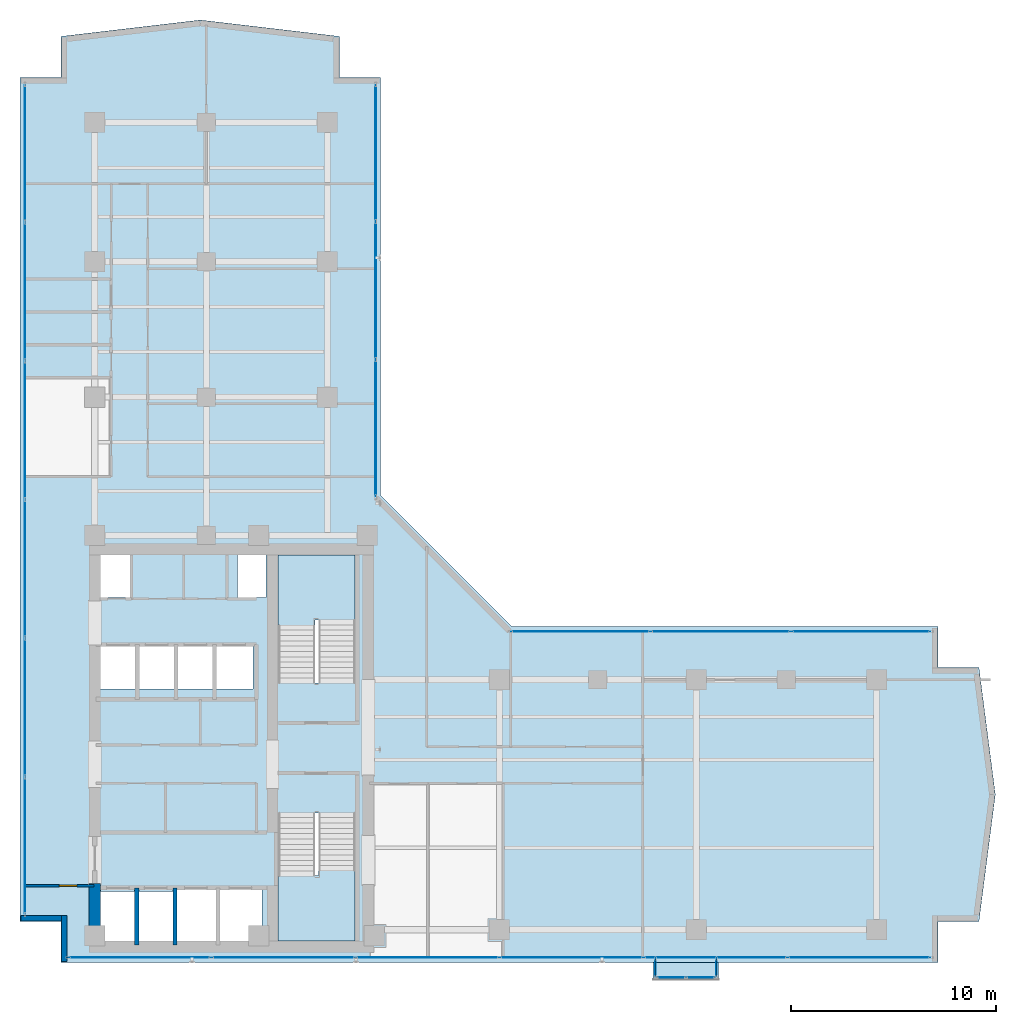
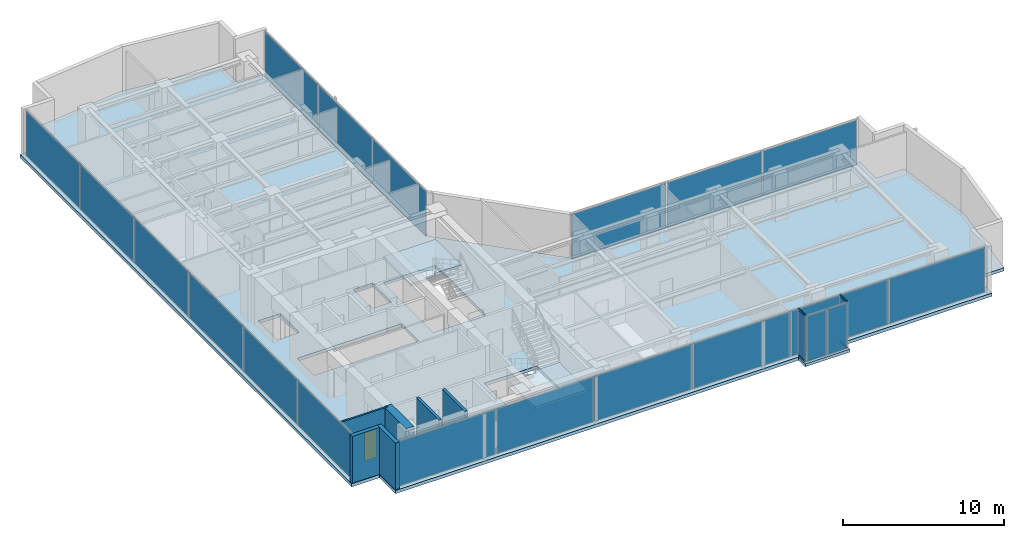
# One storey, part 16 of 24: 22 plates, 6 walls, 4 members, 4 slabs, 1 door, 1 opening, 9 elements without a shape of their own.
"""IFC4 building model written with IfcOpenShell, lengths in metres."""

import ifcopenshell
import ifcopenshell.guid

model = None  # the IFC model being written
_history = None  # IfcOwnerHistory: only IFC2X3 demands one
_inside = {}  # id of a spatial element -> (the spatial element, [elements in it])
_under = {}  # id of a project, library or spatial element -> (it, [spatial elements below it])
_declared = {}  # id of a project -> (the project, [libraries it declares])
_typed = {}  # id of a type object -> (the type object, [elements of that type])
_made_of = {}  # id of a material, layer set ... -> (it, [elements and type objects made of it])


def new_model(schema):
    """Start an empty IFC model of exactly this schema.

    Asked for "IFC4X3", IfcOpenShell would pick the latest addendum, in which some entities
    have other attributes; the version numbers below select the first issue.
    IFC2X3 requires an IfcOwnerHistory on every rooted entity: one is made here for all.
    """
    global model, _history
    if schema == "IFC4X3":
        model = ifcopenshell.file(schema_version=(4, 3, 0, 0))
    else:
        model = ifcopenshell.file(schema=schema)
    _inside.clear()
    _under.clear()
    _declared.clear()
    _typed.clear()
    _made_of.clear()
    _history = None
    if model.schema == "IFC2X3":
        org = make("IfcOrganization", Name="unknown")
        user = make(
            "IfcPersonAndOrganization",
            ThePerson=make("IfcPerson", FamilyName="unknown"),
            TheOrganization=org,
        )
        app = make(
            "IfcApplication",
            ApplicationDeveloper=org,
            Version="unknown",
            ApplicationFullName="unknown",
            ApplicationIdentifier="unknown",
        )
        _history = make(
            "IfcOwnerHistory",
            OwningUser=user,
            OwningApplication=app,
            ChangeAction="ADDED",
            CreationDate=0,
        )
    return model


def make(cls, **values):
    """One entity of the class cls with the attributes given. An attribute that is None is left unset."""
    return model.create_entity(
        cls, **{name: value for name, value in values.items() if value is not None}
    )


def rooted(cls, **values):
    """An entity with a GlobalId (a new one), such as an element, a storey or a relation."""
    return make(cls, GlobalId=ifcopenshell.guid.new(), OwnerHistory=_history, **values)


def si_unit(unit_type, name, prefix=None):
    """IfcSIUnit, for example si_unit("LENGTHUNIT", "METRE", prefix="MILLI")."""
    return make("IfcSIUnit", UnitType=unit_type, Prefix=prefix, Name=name)


def assignment(units):
    """IfcUnitAssignment: the units of a project."""
    return None if units is None else make("IfcUnitAssignment", Units=units)


def point(xyz):
    """IfcCartesianPoint."""
    return None if xyz is None else make("IfcCartesianPoint", Coordinates=xyz)


def direction(xyz):
    """IfcDirection."""
    return None if xyz is None else make("IfcDirection", DirectionRatios=xyz)


def frame(location, z_axis=None, x_axis=None):
    """IfcAxis2Placement3D, a coordinate frame: its origin and axes. An axis left out is left unset."""
    return make(
        "IfcAxis2Placement3D",
        Location=point(location),
        Axis=direction(z_axis),
        RefDirection=direction(x_axis),
    )


def frame_2d(location, x_axis=None):
    """IfcAxis2Placement2D, a coordinate frame in the plane: its origin and x axis."""
    return make(
        "IfcAxis2Placement2D", Location=point(location), RefDirection=direction(x_axis)
    )


def origin():
    """The frame at (0, 0, 0) with its axes left unset."""
    return frame((0.0, 0.0, 0.0))


def origin_with_axes():
    """The frame at (0, 0, 0) with the z axis (0, 0, 1) and the x axis (1, 0, 0) written out."""
    return frame((0.0, 0.0, 0.0), z_axis=(0.0, 0.0, 1.0), x_axis=(1.0, 0.0, 0.0))


def origin_2d():
    """The frame at (0, 0) in the plane with its x axis left unset."""
    return frame_2d((0.0, 0.0))


def place(relative_to, where):
    """IfcLocalPlacement: puts the frame where relative to a parent placement (None: the world)."""
    return make(
        "IfcLocalPlacement", PlacementRelTo=relative_to, RelativePlacement=where
    )


def context(
    kind, dimensions, precision=None, world=None, true_north=None, identifier=None
):
    """IfcGeometricRepresentationContext, for example the 3D "Model" context."""
    return make(
        "IfcGeometricRepresentationContext",
        ContextIdentifier=identifier,
        ContextType=kind,
        CoordinateSpaceDimension=dimensions,
        Precision=precision,
        WorldCoordinateSystem=world,
        TrueNorth=true_north,
    )


def subcontext(parent, identifier, kind, view, scale=None):
    """IfcGeometricRepresentationSubContext, for example "Body" below "Model"."""
    return make(
        "IfcGeometricRepresentationSubContext",
        ContextIdentifier=identifier,
        ContextType=kind,
        ParentContext=parent,
        TargetScale=scale,
        TargetView=view,
    )


def project(units=None, contexts=None):
    """IfcProject with its units and contexts."""
    return rooted(
        "IfcProject",
        Name="project",
        RepresentationContexts=contexts,
        UnitsInContext=assignment(units),
    )


def spatial(cls, under=None, at=None, **own):
    """A site, building, storey or space (cls), placed at a placement, below another one or the project."""
    s = rooted(cls, ObjectPlacement=at, **own)
    if under is not None:
        _under.setdefault(under.id(), (under, []))[1].append(s)
    return s


def polyline(points):
    """IfcPolyline through the points."""
    return make("IfcPolyline", Points=[point(p) for p in points])


def profile(cls, at=None, kind="AREA", **sizes):
    """A parametric profile (cls). Its sizes go by their IFC names, for example OverallWidth=200.0."""
    return make(cls, ProfileType=kind, Position=at, **sizes)


def rectangle(**sizes):
    """IfcRectangleProfileDef."""
    return profile("IfcRectangleProfileDef", **sizes)


def hollow_rectangle(**sizes):
    """IfcRectangleHollowProfileDef."""
    return profile("IfcRectangleHollowProfileDef", **sizes)


def outline(outer, holes=None, kind="AREA"):
    """IfcArbitraryClosedProfileDef: a profile drawn as a closed curve; with holes, ...WithVoids."""
    if holes is None:
        return make("IfcArbitraryClosedProfileDef", ProfileType=kind, OuterCurve=outer)
    return make(
        "IfcArbitraryProfileDefWithVoids",
        ProfileType=kind,
        OuterCurve=outer,
        InnerCurves=holes,
    )


def extrude(swept, where, along, depth):
    """IfcExtrudedAreaSolid: the profile swept, set in the frame where, extruded along a direction by depth."""
    return make(
        "IfcExtrudedAreaSolid",
        SweptArea=swept,
        Position=where,
        ExtrudedDirection=direction(along),
        Depth=depth,
    )


def shape(context_of_items, identifier, shape_type, items):
    """IfcShapeRepresentation: the items that make up one representation, for example the "Body"."""
    return make(
        "IfcShapeRepresentation",
        ContextOfItems=context_of_items,
        RepresentationIdentifier=identifier,
        RepresentationType=shape_type,
        Items=items,
    )


def source(mapping_origin, context_of_items, identifier, shape_type, items):
    """IfcRepresentationMap: a shape defined once, which mapped items show again and again."""
    return make(
        "IfcRepresentationMap",
        MappingOrigin=mapping_origin,
        MappedRepresentation=shape(context_of_items, identifier, shape_type, items),
    )


def transform(
    local_origin,
    x_axis=None,
    y_axis=None,
    z_axis=None,
    scale=None,
    scale2=None,
    scale3=None,
    uniform=True,
):
    """IfcCartesianTransformationOperator3D, or its non-uniform kind. x_axis, y_axis, z_axis: its Axis1, 2, 3."""
    if uniform:
        return make(
            "IfcCartesianTransformationOperator3D",
            Axis1=direction(x_axis),
            Axis2=direction(y_axis),
            LocalOrigin=point(local_origin),
            Scale=scale,
            Axis3=direction(z_axis),
        )
    return make(
        "IfcCartesianTransformationOperator3DnonUniform",
        Axis1=direction(x_axis),
        Axis2=direction(y_axis),
        LocalOrigin=point(local_origin),
        Scale=scale,
        Axis3=direction(z_axis),
        Scale2=scale2,
        Scale3=scale3,
    )


def mapped(mapping_source, mapping_target):
    """IfcMappedItem: shows the shape of a source again, moved by a transform."""
    return make(
        "IfcMappedItem", MappingSource=mapping_source, MappingTarget=mapping_target
    )


def material(Name=None, Category=None):
    """IfcMaterial."""
    return make("IfcMaterial", Name=Name, Category=Category)


def layer(
    of_material, thickness, ventilated=None, Name=None, Category=None, Priority=None
):
    """IfcMaterialLayer: one layer of a wall or slab, of a material (None: an air gap)."""
    return make(
        "IfcMaterialLayer",
        Material=of_material,
        LayerThickness=thickness,
        IsVentilated=ventilated,
        Name=Name,
        Category=Category,
        Priority=Priority,
    )


def layer_set(layers, Name=None):
    """IfcMaterialLayerSet."""
    return make("IfcMaterialLayerSet", MaterialLayers=layers, LayerSetName=Name)


def material_profile(
    of_material, cross_section, Name=None, Category=None, Priority=None
):
    """IfcMaterialProfile: a cross section and its material."""
    return make(
        "IfcMaterialProfile",
        Name=Name,
        Material=of_material,
        Profile=cross_section,
        Priority=Priority,
        Category=Category,
    )


def profile_set(profiles, Name=None, composite=None):
    """IfcMaterialProfileSet."""
    return make(
        "IfcMaterialProfileSet",
        Name=Name,
        MaterialProfiles=profiles,
        CompositeProfile=composite,
    )


def made_of(thing, what):
    """Note that an element or type object is made of a material, layer set ...; save() writes the relation."""
    if what is not None:
        _made_of.setdefault(what.id(), (what, []))[1].append(thing)
    return thing


def type_object(cls, material=None, **own):
    """A type object (cls), such as IfcWallType, which elements share."""
    return made_of(rooted(cls, **own), material)


def element(
    cls,
    number,
    at=None,
    inside=None,
    cuts=None,
    type_object=None,
    material=None,
    context=None,
    identifier="Body",
    shape_type=None,
    held_by="IfcProductDefinitionShape",
    body=None,
    shapes=None,
    **own,
):
    """One element of the class cls, such as IfcWall. Its Tag is "e" and its number.

    at: its placement. inside: the storey or other place that contains it. cuts: it is an
    opening in that element (IfcRelVoidsElement). A single representation is given by context,
    identifier, shape_type and body (its items); several are given by shapes. held_by: the class
    of the entity that holds the representations. save() writes the other relations.
    """
    e = rooted(cls, Tag="e%d" % number, ObjectPlacement=at, **own)
    if body is not None:
        shapes = [shape(context, identifier, shape_type, body)]
    if shapes is not None:
        e.Representation = make(held_by, Representations=shapes)
    if inside is not None:
        _inside.setdefault(inside.id(), (inside, []))[1].append(e)
    if cuts is not None:
        rooted(
            "IfcRelVoidsElement", RelatingBuildingElement=cuts, RelatedOpeningElement=e
        )
    if type_object is not None:
        _typed.setdefault(type_object.id(), (type_object, []))[1].append(e)
    return made_of(e, material)


def fill(opening, filler):
    """IfcRelFillsElement: the door or window that sits in an opening."""
    return rooted(
        "IfcRelFillsElement",
        RelatingOpeningElement=opening,
        RelatedBuildingElement=filler,
    )


def aggregate(whole, parts):
    """IfcRelAggregates: a whole, such as a stair, and the parts it consists of."""
    return rooted("IfcRelAggregates", RelatingObject=whole, RelatedObjects=parts)


def save(model, path):
    """Write the relations noted so far, then the file.

    IfcRelAggregates (storeys below a building ...), IfcRelContainedInSpatialStructure (elements
    in a storey), IfcRelDefinesByType, IfcRelAssociatesMaterial and IfcRelDeclares: one each for
    every whole, place, type object, material and project.
    """
    for whole, parts in _under.values():
        aggregate(whole, parts)
    for where, things in _inside.values():
        rooted(
            "IfcRelContainedInSpatialStructure",
            RelatedElements=things,
            RelatingStructure=where,
        )
    for kind, things in _typed.values():
        rooted("IfcRelDefinesByType", RelatedObjects=things, RelatingType=kind)
    for what, things in _made_of.values():
        rooted("IfcRelAssociatesMaterial", RelatedObjects=things, RelatingMaterial=what)
    for by, libraries in _declared.values():
        rooted("IfcRelDeclares", RelatingContext=by, RelatedDefinitions=libraries)
    model.write(path)


model = new_model("IFC4")

# Units and contexts
model_context = context("Model", 3, precision=1e-05, world=origin(), true_north=direction((0.0, 1.0)))
body_context = subcontext(model_context, "Body", "Model", "MODEL_VIEW")
ifc_project = project(units=[si_unit("LENGTHUNIT", "METRE"), si_unit("AREAUNIT", "SQUARE_METRE"), si_unit("VOLUMEUNIT", "CUBIC_METRE"), si_unit("PLANEANGLEUNIT", "RADIAN"), si_unit("MASSUNIT", "GRAM", prefix="KILO")], contexts=[model_context])

# Site, building, storey
site_placement = place(None, origin())
site = spatial("IfcSite", under=ifc_project, at=site_placement, CompositionType="ELEMENT")
building_placement = place(site_placement, origin())
building = spatial("IfcBuilding", under=site, at=building_placement, Name="Kolvaren Waterfront Exchange", CompositionType="ELEMENT")
storey_placement = place(building_placement, frame((0.0, 0.0, 238.699951171875)))
storey = spatial("IfcBuildingStorey", under=building, at=storey_placement, Name="L61", CompositionType="ELEMENT", Elevation=238.699951171875)

# Curtain wall, members
ifc_material_1 = material(Name="Anodised bronze aluminium 6063-T6", Category="aluminium")
ifc_layer_1 = layer(ifc_material_1, 0.219970703125, Name="Anodised bronze aluminium 6063-T6")
ifc_layer_set_1 = layer_set([ifc_layer_1], Name="Anodised bronze aluminium 6063-T6")
curtain_wall_type_1 = type_object("IfcCurtainWallType", Name="ARC-CW-SYS3", PredefinedType="USERDEFINED", material=ifc_layer_set_1)
curtain_wall_1_placement = place(storey_placement, origin())
curtain_wall_1 = element("IfcCurtainWall", 1, at=curtain_wall_1_placement, inside=storey, type_object=curtain_wall_type_1, Name="L61 stick curtain wall CW3 (CW-L61-BOX-W)", ObjectType="STICK CURTAIN WALL", PredefinedType="USERDEFINED")
ifc_material_profile = material_profile(ifc_material_1, hollow_rectangle(XDim=0.06494140625, YDim=0.1298828125, WallThickness=0.00390625, at=origin_2d()), Name="ALU-TRN-130x65x4")
ifc_profile_set = profile_set([ifc_material_profile], Name="Anodised bronze aluminium 6063-T6")
member_type = type_object("IfcMemberType", Name="ARC-CWT-130", PredefinedType="USERDEFINED", material=ifc_profile_set)
shared_shape_1 = source(origin_with_axes(), body_context, "Body", "SweptSolid", [
    extrude(hollow_rectangle(XDim=0.06494140625, YDim=0.1298828125, WallThickness=0.00390625, at=origin_2d()), origin(), (0.0, 0.0, 1.0), 0.829833984375),
])
member_1_placement = place(storey_placement, frame((34.81005859375, 3.764892578125, 0.032470703125), z_axis=(0.0, -1.0, 0.0), x_axis=(1.0, 0.0, 0.0)))
member_1 = element("IfcMember", 2, at=member_1_placement, type_object=member_type, Name="CW3 transom 1.1", ObjectType="TRANSOM", PredefinedType="USERDEFINED", context=body_context, shape_type="MappedRepresentation", body=[
    mapped(shared_shape_1, transform((0.0, 0.0, 0.0), x_axis=(1.0, 0.0, 0.0), y_axis=(0.0, 1.0, 0.0), z_axis=(0.0, 0.0, 1.0), scale=1.0)),
])
member_2_placement = place(storey_placement, frame((34.81005859375, 3.764892578125, 3.527587890625), z_axis=(0.0, -1.0, 0.0), x_axis=(1.0, 0.0, 0.0)))
member_2 = element("IfcMember", 3, at=member_2_placement, type_object=member_type, Name="CW3 transom 1.2", ObjectType="TRANSOM", PredefinedType="USERDEFINED", context=body_context, shape_type="MappedRepresentation", body=[
    mapped(shared_shape_1, transform((0.0, 0.0, 0.0), x_axis=(1.0, 0.0, 0.0), y_axis=(0.0, 1.0, 0.0), z_axis=(0.0, 0.0, 1.0), scale=1.0)),
])

curtain_wall_2_placement = place(storey_placement, origin())
curtain_wall_2 = element("IfcCurtainWall", 4, at=curtain_wall_2_placement, inside=storey, type_object=curtain_wall_type_1, Name="L61 stick curtain wall CW3 (CW-L61-BOX-E)", ObjectType="STICK CURTAIN WALL", PredefinedType="USERDEFINED")
member_3_placement = place(storey_placement, frame((37.7900390625, 2.93505859375, 0.032470703125), z_axis=(0.0, 1.0, 0.0), x_axis=(-1.0, 0.0, 0.0)))
member_3 = element("IfcMember", 5, at=member_3_placement, type_object=member_type, Name="CW3 transom 1.1", ObjectType="TRANSOM", PredefinedType="USERDEFINED", context=body_context, shape_type="MappedRepresentation", body=[
    mapped(shared_shape_1, transform((0.0, 0.0, 0.0), x_axis=(1.0, 0.0, 0.0), y_axis=(0.0, 1.0, 0.0), z_axis=(0.0, 0.0, 1.0), scale=1.0)),
])
member_4_placement = place(storey_placement, frame((37.7900390625, 2.93505859375, 3.527587890625), z_axis=(0.0, 1.0, 0.0), x_axis=(-1.0, 0.0, 0.0)))
member_4 = element("IfcMember", 6, at=member_4_placement, type_object=member_type, Name="CW3 transom 1.2", ObjectType="TRANSOM", PredefinedType="USERDEFINED", context=body_context, shape_type="MappedRepresentation", body=[
    mapped(shared_shape_1, transform((0.0, 0.0, 0.0), x_axis=(1.0, 0.0, 0.0), y_axis=(0.0, 1.0, 0.0), z_axis=(0.0, 0.0, 1.0), scale=1.0)),
])

# Stair, slab
ifc_material_2 = material(Name="Concrete C40/50", Category="concrete")
stair_type = type_object("IfcStairType", Name="ARC-STAIR-3800", PredefinedType="HALF_TURN_STAIR", material=ifc_material_2)
stair_1_placement = place(storey_placement, origin())
stair_1 = element("IfcStair", 7, at=stair_1_placement, inside=storey, type_object=stair_type, Name="L61 Smoke-proof exit stair ST1", PredefinedType="HALF_TURN_STAIR")
ifc_layer_2 = layer(ifc_material_2, 0.199951171875, Name="Concrete C40/50")
ifc_layer_set_2 = layer_set([ifc_layer_2], Name="Concrete C40/50")
slab_type_1 = type_object("IfcSlabType", Name="STR-LANDING-200", PredefinedType="LANDING", material=ifc_layer_set_2)
slab_1_placement = place(storey_placement, frame((0.0, 0.0, 1.776123046875)))
slab_1 = element("IfcSlab", 8, at=slab_1_placement, type_object=slab_type_1, Name="ST1 landing 1", PredefinedType="LANDING", context=body_context, shape_type="SweptSolid", body=[
    extrude(outline(polyline([(16.39990234375, 7.840087890625), (16.39990234375, 4.64990234375), (20.159912109375, 4.64990234375), (20.159912109375, 8.10009765625), (18.360107421875, 8.10009765625), (18.360107421875, 7.840087890625), (16.39990234375, 7.840087890625)])), origin(), (0.0, 0.0, 1.0), 0.199951171875),
])
aggregate(stair_1, [slab_1])

stair_2_placement = place(storey_placement, origin())
stair_2 = element("IfcStair", 9, at=stair_2_placement, inside=storey, type_object=stair_type, Name="L61 Smoke-proof exit stair ST2", PredefinedType="HALF_TURN_STAIR")
slab_2_placement = place(storey_placement, frame((0.0, 0.0, 1.776123046875)))
slab_2 = element("IfcSlab", 10, at=slab_2_placement, type_object=slab_type_1, Name="ST2 landing 1", PredefinedType="LANDING", context=body_context, shape_type="SweptSolid", body=[
    extrude(outline(polyline([(20.159912109375, 20.31005859375), (20.159912109375, 23.5), (16.39990234375, 23.5), (16.39990234375, 20.050048828125), (18.199951171875, 20.050048828125), (18.199951171875, 20.31005859375), (20.159912109375, 20.31005859375)])), origin(), (0.0, 0.0, 1.0), 0.199951171875),
])
aggregate(stair_2, [slab_2])

# Slabs
ifc_layer_3 = layer(ifc_material_2, 0.239990234375, Name="Concrete C40/50")
ifc_layer_set_3 = layer_set([ifc_layer_3], Name="Concrete C40/50")
slab_type_2 = type_object("IfcSlabType", Name="STR-SLAB-240", PredefinedType="FLOOR", material=ifc_layer_set_3)
slab_3_placement = place(storey_placement, frame((0.0, 0.0, -0.239990234375)))
element("IfcSlab", 11, at=slab_3_placement, inside=storey, type_object=slab_type_2, Name="L61 structural floor slab", PredefinedType="FLOOR", context=body_context, shape_type="SweptSolid", body=[
    extrude(outline(polyline([(5.800048828125, 3.60009765625), (48.60009765625, 3.60009765625), (48.60009765625, 5.60009765625), (50.60009765625, 5.60009765625), (51.39990234375, 11.800048828125), (50.60009765625, 18.0), (48.60009765625, 18.0), (48.60009765625, 20.0), (27.800048828125, 20.0), (21.39990234375, 26.39990234375), (21.39990234375, 46.800048828125), (19.39990234375, 46.800048828125), (19.39990234375, 48.800048828125), (12.60009765625, 49.60009765625), (5.800048828125, 48.800048828125), (5.800048828125, 46.800048828125), (3.800048828125, 46.800048828125), (3.800048828125, 5.60009765625), (5.800048828125, 5.60009765625), (5.800048828125, 3.60009765625)]), holes=[polyline([(11.320068359375, 7.260009765625), (15.610107421875, 7.260009765625), (15.610107421875, 4.5400390625), (7.719970703125, 4.5400390625), (7.719970703125, 7.06005859375), (11.320068359375, 7.06005859375), (11.320068359375, 7.260009765625)]), polyline([(20.159912109375, 10.89990234375), (20.159912109375, 4.64990234375), (16.39990234375, 4.64990234375), (16.39990234375, 10.89990234375), (20.159912109375, 10.89990234375)]), polyline([(7.669921875, 19.06005859375), (15.159912109375, 19.06005859375), (15.159912109375, 16.93994140625), (7.669921875, 16.93994140625), (7.669921875, 19.06005859375)]), polyline([(16.39990234375, 17.25), (16.39990234375, 23.5), (20.159912109375, 23.5), (20.159912109375, 17.25), (16.39990234375, 17.25)]), polyline([(7.60009765625, 23.780029296875), (9.179931640625, 23.780029296875), (9.179931640625, 21.419921875), (7.60009765625, 21.419921875), (7.60009765625, 23.780029296875)]), polyline([(14.419921875, 23.780029296875), (15.800048828125, 23.780029296875), (15.800048828125, 21.419921875), (14.419921875, 21.419921875), (14.419921875, 23.780029296875)])]), origin(), (0.0, 0.0, 1.0), 0.239990234375),
])
ifc_layer_4 = layer(ifc_material_2, 0.219970703125, Name="Concrete C40/50")
ifc_layer_set_4 = layer_set([ifc_layer_4], Name="Concrete C40/50")
slab_type_3 = type_object("IfcSlabType", Name="STR-TERR-220", PredefinedType="FLOOR", material=ifc_layer_set_4)
slab_4_placement = place(storey_placement, frame((0.0, 0.0, -0.219970703125)))
element("IfcSlab", 12, at=slab_4_placement, inside=storey, type_object=slab_type_3, Name="L61 projecting bay-box floor strip", PredefinedType="FLOOR", context=body_context, shape_type="SweptSolid", body=[
    extrude(outline(polyline([(34.699951171875, 2.75), (37.89990234375, 2.75), (37.89990234375, 3.60009765625), (34.699951171875, 3.60009765625), (34.699951171875, 2.75)])), origin(), (0.0, 0.0, 1.0), 0.219970703125),
])

# Plate
ifc_material_3 = material(Name="Bronze tinted bay-box vision glass", Category="aluminium")
ifc_layer_5 = layer(ifc_material_3, 0.02392578125, Name="Bronze tinted bay-box vision glass")
ifc_layer_set_5 = layer_set([ifc_layer_5], Name="Bronze tinted bay-box vision glass")
plate_type_1 = type_object("IfcPlateType", Name="ARC-CWP-24", PredefinedType="CURTAIN_PANEL", material=ifc_layer_set_5)
shared_shape_2 = source(origin_with_axes(), body_context, "Body", "SweptSolid", [
    extrude(rectangle(XDim=0.830078125, YDim=0.02392578125, at=origin_2d()), origin(), (0.0, 0.0, 1.0), 3.429931640625),
])
plate_1_placement = place(storey_placement, frame((34.81005859375, 3.35009765625, 0.06494140625), z_axis=(0.0, 0.0, 1.0), x_axis=(0.0, -1.0, 0.0)))
plate_1 = element("IfcPlate", 13, at=plate_1_placement, type_object=plate_type_1, Name="CW3 panel 1.1", PredefinedType="CURTAIN_PANEL", context=body_context, shape_type="MappedRepresentation", body=[
    mapped(shared_shape_2, transform((0.0, 0.0, 0.0), x_axis=(1.0, 0.0, 0.0), y_axis=(0.0, 1.0, 0.0), z_axis=(0.0, 0.0, 1.0), scale=1.0)),
])

aggregate(curtain_wall_1, [member_1, member_2, plate_1])

plate_2_placement = place(storey_placement, frame((37.7900390625, 3.35009765625, 0.06494140625), z_axis=(0.0, 0.0, 1.0), x_axis=(0.0, 1.0, 0.0)))
plate_2 = element("IfcPlate", 14, at=plate_2_placement, type_object=plate_type_1, Name="CW3 panel 1.1", PredefinedType="CURTAIN_PANEL", context=body_context, shape_type="MappedRepresentation", body=[
    mapped(shared_shape_2, transform((0.0, 0.0, 0.0), x_axis=(1.0, 0.0, 0.0), y_axis=(0.0, 1.0, 0.0), z_axis=(0.0, 0.0, 1.0), scale=1.0)),
])

aggregate(curtain_wall_2, [member_3, member_4, plate_2])

# Curtain wall, plates
curtain_wall_3_placement = place(storey_placement, origin())
curtain_wall_3 = element("IfcCurtainWall", 15, at=curtain_wall_3_placement, inside=storey, type_object=curtain_wall_type_1, Name="L61 stick curtain wall CW3 (CW-L61-BOX)", ObjectType="STICK CURTAIN WALL", PredefinedType="USERDEFINED")
shared_shape_3 = source(origin_with_axes(), body_context, "Body", "SweptSolid", [
    extrude(rectangle(XDim=1.37744140625, YDim=0.02392578125, at=origin_2d()), origin(), (0.0, 0.0, 1.0), 3.429931640625),
])
plate_3_placement = place(storey_placement, frame((35.57373046875, 2.860107421875, 0.06494140625), z_axis=(0.0, 0.0, 1.0), x_axis=(1.0, 0.0, 0.0)))
plate_3 = element("IfcPlate", 16, at=plate_3_placement, type_object=plate_type_1, Name="CW3 panel 1.1", PredefinedType="CURTAIN_PANEL", context=body_context, shape_type="MappedRepresentation", body=[
    mapped(shared_shape_3, transform((0.0, 0.0, 0.0), x_axis=(1.0, 0.0, 0.0), y_axis=(0.0, 1.0, 0.0), z_axis=(0.0, 0.0, 1.0), scale=1.0)),
])
plate_4_placement = place(storey_placement, frame((37.0263671875, 2.860107421875, 0.06494140625), z_axis=(0.0, 0.0, 1.0), x_axis=(1.0, 0.0, 0.0)))
plate_4 = element("IfcPlate", 17, at=plate_4_placement, type_object=plate_type_1, Name="CW3 panel 2.1", PredefinedType="CURTAIN_PANEL", context=body_context, shape_type="MappedRepresentation", body=[
    mapped(shared_shape_3, transform((0.0, 0.0, 0.0), x_axis=(1.0, 0.0, 0.0), y_axis=(0.0, 1.0, 0.0), z_axis=(0.0, 0.0, 1.0), scale=1.0)),
])
aggregate(curtain_wall_3, [plate_3, plate_4])

ifc_material_4 = material(Name="Anodised aluminium 6063-T6", Category="aluminium")
ifc_layer_6 = layer(ifc_material_4, 0.219970703125, Name="Anodised aluminium 6063-T6")
ifc_layer_set_6 = layer_set([ifc_layer_6], Name="Anodised aluminium 6063-T6")
curtain_wall_type_2 = type_object("IfcCurtainWallType", Name="ARC-CW-SYS2", PredefinedType="USERDEFINED", material=ifc_layer_set_6)
curtain_wall_4_placement = place(storey_placement, origin())
curtain_wall_4 = element("IfcCurtainWall", 18, at=curtain_wall_4_placement, inside=storey, type_object=curtain_wall_type_2, Name="L61 stick curtain wall CW2 (CW-L61-W)", ObjectType="STICK CURTAIN WALL", PredefinedType="USERDEFINED")
ifc_material_5 = material(Name="Acoustic laminated vision glass", Category="glass")
ifc_layer_7 = layer(ifc_material_5, 0.031982421875, Name="Acoustic laminated vision glass")
ifc_layer_set_7 = layer_set([ifc_layer_7], Name="Acoustic laminated vision glass")
plate_type_2 = type_object("IfcPlateType", Name="ARC-CWP-32", PredefinedType="CURTAIN_PANEL", material=ifc_layer_set_7)
shared_shape_4 = source(origin_with_axes(), body_context, "Body", "SweptSolid", [
    extrude(rectangle(XDim=6.646728515625, YDim=0.031982421875, at=origin_2d()), origin(), (0.0, 0.0, 1.0), 3.409912109375),
])
plate_5_placement = place(storey_placement, frame((4.0400390625, 9.30322265625, 0.0751953125), z_axis=(0.0, 0.0, 1.0), x_axis=(0.0, 1.0, 0.0)))
plate_5 = element("IfcPlate", 19, at=plate_5_placement, type_object=plate_type_2, Name="CW2 panel 1.1", PredefinedType="CURTAIN_PANEL", context=body_context, shape_type="MappedRepresentation", body=[
    mapped(shared_shape_4, transform((0.0, 0.0, 0.0), x_axis=(1.0, 0.0, 0.0), y_axis=(0.0, 1.0, 0.0), z_axis=(0.0, 0.0, 1.0), scale=1.0)),
])
plate_6_placement = place(storey_placement, frame((4.0400390625, 43.0966796875, 0.0751953125), z_axis=(0.0, 0.0, 1.0), x_axis=(0.0, 1.0, 0.0)))
plate_6 = element("IfcPlate", 20, at=plate_6_placement, type_object=plate_type_2, Name="CW2 panel 6.1", PredefinedType="CURTAIN_PANEL", context=body_context, shape_type="MappedRepresentation", body=[
    mapped(shared_shape_4, transform((0.0, 0.0, 0.0), x_axis=(1.0, 0.0, 0.0), y_axis=(0.0, 1.0, 0.0), z_axis=(0.0, 0.0, 1.0), scale=1.0)),
])
shared_shape_5 = source(origin_with_axes(), body_context, "Body", "SweptSolid", [
    extrude(rectangle(XDim=6.686767578125, YDim=0.031982421875, at=origin_2d()), origin(), (0.0, 0.0, 1.0), 3.409912109375),
])
plate_7_placement = place(storey_placement, frame((4.0400390625, 16.050048828125, 0.0751953125), z_axis=(0.0, 0.0, 1.0), x_axis=(0.0, 1.0, 0.0)))
plate_7 = element("IfcPlate", 21, at=plate_7_placement, type_object=plate_type_2, Name="CW2 panel 2.1", PredefinedType="CURTAIN_PANEL", context=body_context, shape_type="MappedRepresentation", body=[
    mapped(shared_shape_5, transform((0.0, 0.0, 0.0), x_axis=(1.0, 0.0, 0.0), y_axis=(0.0, 1.0, 0.0), z_axis=(0.0, 0.0, 1.0), scale=1.0)),
])
plate_8_placement = place(storey_placement, frame((4.0400390625, 22.816650390625, 0.0751953125), z_axis=(0.0, 0.0, 1.0), x_axis=(0.0, 1.0, 0.0)))
plate_8 = element("IfcPlate", 22, at=plate_8_placement, type_object=plate_type_2, Name="CW2 panel 3.1", PredefinedType="CURTAIN_PANEL", context=body_context, shape_type="MappedRepresentation", body=[
    mapped(shared_shape_5, transform((0.0, 0.0, 0.0), x_axis=(1.0, 0.0, 0.0), y_axis=(0.0, 1.0, 0.0), z_axis=(0.0, 0.0, 1.0), scale=1.0)),
])
plate_9_placement = place(storey_placement, frame((4.0400390625, 29.583251953125, 0.0751953125), z_axis=(0.0, 0.0, 1.0), x_axis=(0.0, 1.0, 0.0)))
plate_9 = element("IfcPlate", 23, at=plate_9_placement, type_object=plate_type_2, Name="CW2 panel 4.1", PredefinedType="CURTAIN_PANEL", context=body_context, shape_type="MappedRepresentation", body=[
    mapped(shared_shape_5, transform((0.0, 0.0, 0.0), x_axis=(1.0, 0.0, 0.0), y_axis=(0.0, 1.0, 0.0), z_axis=(0.0, 0.0, 1.0), scale=1.0)),
])
plate_10_placement = place(storey_placement, frame((4.0400390625, 36.35009765625, 0.0751953125), z_axis=(0.0, 0.0, 1.0), x_axis=(0.0, 1.0, 0.0)))
plate_10 = element("IfcPlate", 24, at=plate_10_placement, type_object=plate_type_2, Name="CW2 panel 5.1", PredefinedType="CURTAIN_PANEL", context=body_context, shape_type="MappedRepresentation", body=[
    mapped(shared_shape_5, transform((0.0, 0.0, 0.0), x_axis=(1.0, 0.0, 0.0), y_axis=(0.0, 1.0, 0.0), z_axis=(0.0, 0.0, 1.0), scale=1.0)),
])
aggregate(curtain_wall_4, [plate_5, plate_7, plate_8, plate_9, plate_10, plate_6])

ifc_layer_8 = layer(ifc_material_1, 0.219970703125, Name="Anodised bronze aluminium 6063-T6")
ifc_layer_set_8 = layer_set([ifc_layer_8], Name="Anodised bronze aluminium 6063-T6")
curtain_wall_type_3 = type_object("IfcCurtainWallType", Name="ARC-CW-SYS1", PredefinedType="USERDEFINED", material=ifc_layer_set_8)
curtain_wall_5_placement = place(storey_placement, origin())
curtain_wall_5 = element("IfcCurtainWall", 25, at=curtain_wall_5_placement, inside=storey, type_object=curtain_wall_type_3, Name="L61 stick curtain wall CW1 (CW-L61-S)", ObjectType="STICK CURTAIN WALL", PredefinedType="USERDEFINED")
ifc_material_6 = material(Name="Bronze solar control vision glass", Category="aluminium")
ifc_layer_9 = layer(ifc_material_6, 0.028076171875, Name="Bronze solar control vision glass")
ifc_layer_set_9 = layer_set([ifc_layer_9], Name="Bronze solar control vision glass")
plate_type_3 = type_object("IfcPlateType", Name="ARC-CWP-28", PredefinedType="CURTAIN_PANEL", material=ifc_layer_set_9)
shared_shape_6 = source(origin_with_axes(), body_context, "Body", "SweptSolid", [
    extrude(rectangle(XDim=6.913330078125, YDim=0.028076171875, at=origin_2d()), origin(), (0.0, 0.0, 1.0), 3.409912109375),
])
plate_11_placement = place(storey_placement, frame((9.63671875, 3.840087890625, 0.0751953125), z_axis=(0.0, 0.0, 1.0), x_axis=(1.0, 0.0, 0.0)))
plate_11 = element("IfcPlate", 26, at=plate_11_placement, type_object=plate_type_3, Name="CW1 panel 1.1", PredefinedType="CURTAIN_PANEL", context=body_context, shape_type="MappedRepresentation", body=[
    mapped(shared_shape_6, transform((0.0, 0.0, 0.0), x_axis=(1.0, 0.0, 0.0), y_axis=(0.0, 1.0, 0.0), z_axis=(0.0, 0.0, 1.0), scale=1.0)),
])
plate_12_placement = place(storey_placement, frame((44.763427734375, 3.840087890625, 0.0751953125), z_axis=(0.0, 0.0, 1.0), x_axis=(1.0, 0.0, 0.0)))
plate_12 = element("IfcPlate", 27, at=plate_12_placement, type_object=plate_type_3, Name="CW1 panel 6.1", PredefinedType="CURTAIN_PANEL", context=body_context, shape_type="MappedRepresentation", body=[
    mapped(shared_shape_6, transform((0.0, 0.0, 0.0), x_axis=(1.0, 0.0, 0.0), y_axis=(0.0, 1.0, 0.0), z_axis=(0.0, 0.0, 1.0), scale=1.0)),
])
shared_shape_7 = source(origin_with_axes(), body_context, "Body", "SweptSolid", [
    extrude(rectangle(XDim=6.953369140625, YDim=0.028076171875, at=origin_2d()), origin(), (0.0, 0.0, 1.0), 3.409912109375),
])
plate_13_placement = place(storey_placement, frame((16.64990234375, 3.840087890625, 0.0751953125), z_axis=(0.0, 0.0, 1.0), x_axis=(1.0, 0.0, 0.0)))
plate_13 = element("IfcPlate", 28, at=plate_13_placement, type_object=plate_type_3, Name="CW1 panel 2.1", PredefinedType="CURTAIN_PANEL", context=body_context, shape_type="MappedRepresentation", body=[
    mapped(shared_shape_7, transform((0.0, 0.0, 0.0), x_axis=(1.0, 0.0, 0.0), y_axis=(0.0, 1.0, 0.0), z_axis=(0.0, 0.0, 1.0), scale=1.0)),
])
plate_14_placement = place(storey_placement, frame((23.683349609375, 3.840087890625, 0.0751953125), z_axis=(0.0, 0.0, 1.0), x_axis=(1.0, 0.0, 0.0)))
plate_14 = element("IfcPlate", 29, at=plate_14_placement, type_object=plate_type_3, Name="CW1 panel 3.1", PredefinedType="CURTAIN_PANEL", context=body_context, shape_type="MappedRepresentation", body=[
    mapped(shared_shape_7, transform((0.0, 0.0, 0.0), x_axis=(1.0, 0.0, 0.0), y_axis=(0.0, 1.0, 0.0), z_axis=(0.0, 0.0, 1.0), scale=1.0)),
])
plate_15_placement = place(storey_placement, frame((30.716552734375, 3.840087890625, 0.0751953125), z_axis=(0.0, 0.0, 1.0), x_axis=(1.0, 0.0, 0.0)))
plate_15 = element("IfcPlate", 30, at=plate_15_placement, type_object=plate_type_3, Name="CW1 panel 4.1", PredefinedType="CURTAIN_PANEL", context=body_context, shape_type="MappedRepresentation", body=[
    mapped(shared_shape_7, transform((0.0, 0.0, 0.0), x_axis=(1.0, 0.0, 0.0), y_axis=(0.0, 1.0, 0.0), z_axis=(0.0, 0.0, 1.0), scale=1.0)),
])
plate_16_placement = place(storey_placement, frame((37.75, 3.840087890625, 0.0751953125), z_axis=(0.0, 0.0, 1.0), x_axis=(1.0, 0.0, 0.0)))
plate_16 = element("IfcPlate", 31, at=plate_16_placement, type_object=plate_type_3, Name="CW1 panel 5.1", PredefinedType="CURTAIN_PANEL", context=body_context, shape_type="MappedRepresentation", body=[
    mapped(shared_shape_7, transform((0.0, 0.0, 0.0), x_axis=(1.0, 0.0, 0.0), y_axis=(0.0, 1.0, 0.0), z_axis=(0.0, 0.0, 1.0), scale=1.0)),
])
aggregate(curtain_wall_5, [plate_11, plate_13, plate_14, plate_15, plate_16, plate_12])

curtain_wall_6_placement = place(storey_placement, origin())
curtain_wall_6 = element("IfcCurtainWall", 32, at=curtain_wall_6_placement, inside=storey, type_object=curtain_wall_type_3, Name="L61 stick curtain wall CW1 (CW-L61-NE)", ObjectType="STICK CURTAIN WALL", PredefinedType="USERDEFINED")
shared_shape_8 = source(origin_with_axes(), body_context, "Body", "SweptSolid", [
    extrude(rectangle(XDim=6.61669921875, YDim=0.028076171875, at=origin_2d()), origin(), (0.0, 0.0, 1.0), 3.409912109375),
])
plate_17_placement = place(storey_placement, frame((21.159912109375, 29.67822265625, 0.0751953125), z_axis=(0.0, 0.0, 1.0), x_axis=(0.0, 1.0, 0.0)))
plate_17 = element("IfcPlate", 33, at=plate_17_placement, type_object=plate_type_3, Name="CW1 panel 1.1", PredefinedType="CURTAIN_PANEL", context=body_context, shape_type="MappedRepresentation", body=[
    mapped(shared_shape_8, transform((0.0, 0.0, 0.0), x_axis=(1.0, 0.0, 0.0), y_axis=(0.0, 1.0, 0.0), z_axis=(0.0, 0.0, 1.0), scale=1.0)),
])
plate_18_placement = place(storey_placement, frame((21.159912109375, 43.111572265625, 0.0751953125), z_axis=(0.0, 0.0, 1.0), x_axis=(0.0, 1.0, 0.0)))
plate_18 = element("IfcPlate", 34, at=plate_18_placement, type_object=plate_type_3, Name="CW1 panel 3.1", PredefinedType="CURTAIN_PANEL", context=body_context, shape_type="MappedRepresentation", body=[
    mapped(shared_shape_8, transform((0.0, 0.0, 0.0), x_axis=(1.0, 0.0, 0.0), y_axis=(0.0, 1.0, 0.0), z_axis=(0.0, 0.0, 1.0), scale=1.0)),
])
shared_shape_9 = source(origin_with_axes(), body_context, "Body", "SweptSolid", [
    extrude(rectangle(XDim=6.65673828125, YDim=0.028076171875, at=origin_2d()), origin(), (0.0, 0.0, 1.0), 3.409912109375),
])
plate_19_placement = place(storey_placement, frame((21.159912109375, 36.39501953125, 0.0751953125), z_axis=(0.0, 0.0, 1.0), x_axis=(0.0, 1.0, 0.0)))
plate_19 = element("IfcPlate", 35, at=plate_19_placement, type_object=plate_type_3, Name="CW1 panel 2.1", PredefinedType="CURTAIN_PANEL", context=body_context, shape_type="MappedRepresentation", body=[
    mapped(shared_shape_9, transform((0.0, 0.0, 0.0), x_axis=(1.0, 0.0, 0.0), y_axis=(0.0, 1.0, 0.0), z_axis=(0.0, 0.0, 1.0), scale=1.0)),
])
aggregate(curtain_wall_6, [plate_17, plate_19, plate_18])

curtain_wall_7_placement = place(storey_placement, origin())
curtain_wall_7 = element("IfcCurtainWall", 36, at=curtain_wall_7_placement, inside=storey, type_object=curtain_wall_type_3, Name="L61 stick curtain wall CW1 (CW-L61-EN)", ObjectType="STICK CURTAIN WALL", PredefinedType="USERDEFINED")
shared_shape_10 = source(origin_with_axes(), body_context, "Body", "SweptSolid", [
    extrude(rectangle(XDim=6.75, YDim=0.028076171875, at=origin_2d()), origin(), (0.0, 0.0, 1.0), 3.409912109375),
])
plate_20_placement = place(storey_placement, frame((31.14501953125, 19.760009765625, 0.0751953125), z_axis=(0.0, 0.0, 1.0), x_axis=(1.0, 0.0, 0.0)))
plate_20 = element("IfcPlate", 37, at=plate_20_placement, type_object=plate_type_3, Name="CW1 panel 1.1", PredefinedType="CURTAIN_PANEL", context=body_context, shape_type="MappedRepresentation", body=[
    mapped(shared_shape_10, transform((0.0, 0.0, 0.0), x_axis=(1.0, 0.0, 0.0), y_axis=(0.0, 1.0, 0.0), z_axis=(0.0, 0.0, 1.0), scale=1.0)),
])
plate_21_placement = place(storey_placement, frame((44.844970703125, 19.760009765625, 0.0751953125), z_axis=(0.0, 0.0, 1.0), x_axis=(1.0, 0.0, 0.0)))
plate_21 = element("IfcPlate", 38, at=plate_21_placement, type_object=plate_type_3, Name="CW1 panel 3.1", PredefinedType="CURTAIN_PANEL", context=body_context, shape_type="MappedRepresentation", body=[
    mapped(shared_shape_10, transform((0.0, 0.0, 0.0), x_axis=(1.0, 0.0, 0.0), y_axis=(0.0, 1.0, 0.0), z_axis=(0.0, 0.0, 1.0), scale=1.0)),
])
shared_shape_11 = source(origin_with_axes(), body_context, "Body", "SweptSolid", [
    extrude(rectangle(XDim=6.7900390625, YDim=0.028076171875, at=origin_2d()), origin(), (0.0, 0.0, 1.0), 3.409912109375),
])
plate_22_placement = place(storey_placement, frame((37.9951171875, 19.760009765625, 0.0751953125), z_axis=(0.0, 0.0, 1.0), x_axis=(1.0, 0.0, 0.0)))
plate_22 = element("IfcPlate", 39, at=plate_22_placement, type_object=plate_type_3, Name="CW1 panel 2.1", PredefinedType="CURTAIN_PANEL", context=body_context, shape_type="MappedRepresentation", body=[
    mapped(shared_shape_11, transform((0.0, 0.0, 0.0), x_axis=(1.0, 0.0, 0.0), y_axis=(0.0, 1.0, 0.0), z_axis=(0.0, 0.0, 1.0), scale=1.0)),
])
aggregate(curtain_wall_7, [plate_20, plate_22, plate_21])

# Walls
ifc_material_7 = material(Name="Precast concrete C40/50", Category="concrete")
ifc_layer_10 = layer(ifc_material_7, 0.280029296875, Name="Precast concrete C40/50")
ifc_layer_set_10 = layer_set([ifc_layer_10], Name="Precast concrete C40/50")
wall_type_1 = type_object("IfcWallType", Name="ARC-EXT-TERR-280", PredefinedType="SOLIDWALL", material=ifc_layer_set_10)
wall_1_placement = place(storey_placement, frame((5.9599609375, 3.659912109375, 0.0), z_axis=(0.0, 0.0, 1.0), x_axis=(0.0, 1.0, 0.0)))
element("IfcWall", 40, at=wall_1_placement, inside=storey, type_object=wall_type_1, Name="L61 notched corner spandrel pier SW-A", PredefinedType="SOLIDWALL", context=body_context, shape_type="SweptSolid", body=[
    extrude(rectangle(XDim=2.239990234375, YDim=0.280029296875, at=frame_2d((1.1201171875, 0.0))), origin(), (0.0, 0.0, 1.0), 3.56005859375),
])
wall_2_placement = place(storey_placement, frame((3.860107421875, 5.760009765625, 0.0), z_axis=(0.0, 0.0, 1.0), x_axis=(1.0, 0.0, 0.0)))
element("IfcWall", 41, at=wall_2_placement, inside=storey, type_object=wall_type_1, Name="L61 notched corner spandrel pier SW-B", PredefinedType="SOLIDWALL", context=body_context, shape_type="SweptSolid", body=[
    extrude(rectangle(XDim=1.9599609375, YDim=0.280029296875, at=frame_2d((0.97998046875, 0.0))), origin(), (0.0, 0.0, 1.0), 3.56005859375),
])

# Wall, opening, door
ifc_material_8 = material(Name="Acoustic gypsum steel stud", Category="steel")
ifc_layer_11 = layer(ifc_material_8, 0.125, Name="Acoustic gypsum steel stud")
ifc_layer_set_11 = layer_set([ifc_layer_11], Name="Acoustic gypsum steel stud")
wall_type_2 = type_object("IfcWallType", Name="ARC-PART-125", PredefinedType="PARTITIONING", material=ifc_layer_set_11)
wall_3_placement = place(storey_placement, frame((4.0400390625, 7.35009765625, 0.0), z_axis=(0.0, 0.0, 1.0), x_axis=(1.0, 0.0, 0.0)))
wall_3 = element("IfcWall", 42, at=wall_3_placement, inside=storey, type_object=wall_type_2, Name="L61 interior wall PW-L61-SWC-N", PredefinedType="PARTITIONING", context=body_context, shape_type="SweptSolid", body=[
    extrude(rectangle(XDim=3.35986328125, YDim=0.125, at=frame_2d((1.679931640625, 0.0))), origin(), (0.0, 0.0, 1.0), 3.56005859375),
])
opening_placement = place(wall_3_placement, frame((1.686767578125, 0.0, 0.0)))
opening = element("IfcOpeningElement", 43, at=opening_placement, cuts=wall_3, Name="Opening D01", PredefinedType="OPENING", context=body_context, shape_type="SweptSolid", body=[
    extrude(rectangle(XDim=0.85009765625, YDim=2.14990234375, at=frame_2d((0.425048828125, 1.074951171875))), frame((0.0, 0.072509765625, 0.0), z_axis=(0.0, -1.0, 0.0), x_axis=(1.0, 0.0, 0.0)), (0.0, 0.0, 1.0), 0.14501953125),
])
ifc_material_9 = material(Name="Oak veneer timber leaf", Category="wood")
door_type = type_object("IfcDoorType", Name="ARC-DR-900", OperationType="NOTDEFINED", PredefinedType="DOOR", material=ifc_material_9)
door_placement = place(opening_placement, origin())
door = element("IfcDoor", 44, at=door_placement, inside=storey, type_object=door_type, Name="L61 door DR-L61-SWC-D (D01)", OperationType="SINGLE_SWING_LEFT", OverallHeight=2.14990234375, OverallWidth=0.85009765625, PredefinedType="DOOR", context=body_context, shape_type="SweptSolid", body=[
    extrude(rectangle(XDim=0.85009765625, YDim=2.14990234375, at=frame_2d((0.425048828125, 1.074951171875))), frame((0.0, 0.02490234375, 0.0), z_axis=(0.0, -1.0, 0.0), x_axis=(1.0, 0.0, 0.0)), (0.0, 0.0, 1.0), 0.050048828125),
])
fill(opening, door)

# Walls
ifc_layer_12 = layer(ifc_material_2, 0.199951171875, Name="Concrete C40/50")
ifc_layer_set_12 = layer_set([ifc_layer_12], Name="Concrete C40/50")
wall_type_3 = type_object("IfcWallType", Name="ARC-SHAFT-200", PredefinedType="PARTITIONING", material=ifc_layer_set_12)
for number, where, z_axis, x_axis, name in (
    (45, (9.5, 4.449951171875, 0.0), (0.0, 0.0, 1.0), (0.0, 1.0, 0.0), "L61 interior wall PW-L61-SH1-DIV-95"),
    (46, (11.360107421875, 4.449951171875, 0.0), (0.0, 0.0, 1.0), (0.0, 1.0, 0.0), "L61 interior wall PW-L61-SH1-DIV-113"),
):
    element("IfcWall", number, at=place(storey_placement, frame(where, z_axis=z_axis, x_axis=x_axis)), inside=storey, type_object=wall_type_3, Name=name, PredefinedType="PARTITIONING", context=body_context, shape_type="SweptSolid", body=[
        extrude(rectangle(XDim=2.800048828125, YDim=0.199951171875, at=frame_2d((1.39990234375, 0.0))), origin(), (0.0, 0.0, 1.0), 3.56005859375),
    ])
ifc_material_10 = material(Name="Concrete C50/60", Category="concrete")
ifc_layer_13 = layer(ifc_material_10, 0.550048828125, Name="Concrete C50/60")
ifc_layer_set_13 = layer_set([ifc_layer_13], Name="Concrete C50/60")
wall_type_4 = type_object("IfcWallType", Name="STR-CWALL-550", PredefinedType="SHEAR", material=ifc_layer_set_13)
wall_4_placement = place(storey_placement, frame((7.449951171875, 4.64990234375, 0.0), z_axis=(0.0, 0.0, 1.0), x_axis=(0.0, 1.0, 0.0)))
element("IfcWall", 47, at=wall_4_placement, inside=storey, type_object=wall_type_4, Name="L61 rear-core shear wall W1", PredefinedType="SHEAR", context=body_context, shape_type="SweptSolid", body=[
    extrude(rectangle(XDim=2.800048828125, YDim=0.550048828125, at=frame_2d((1.39990234375, 0.0))), origin(), (0.0, 0.0, 1.0), 3.56005859375),
])

save(model, "model.ifc")
